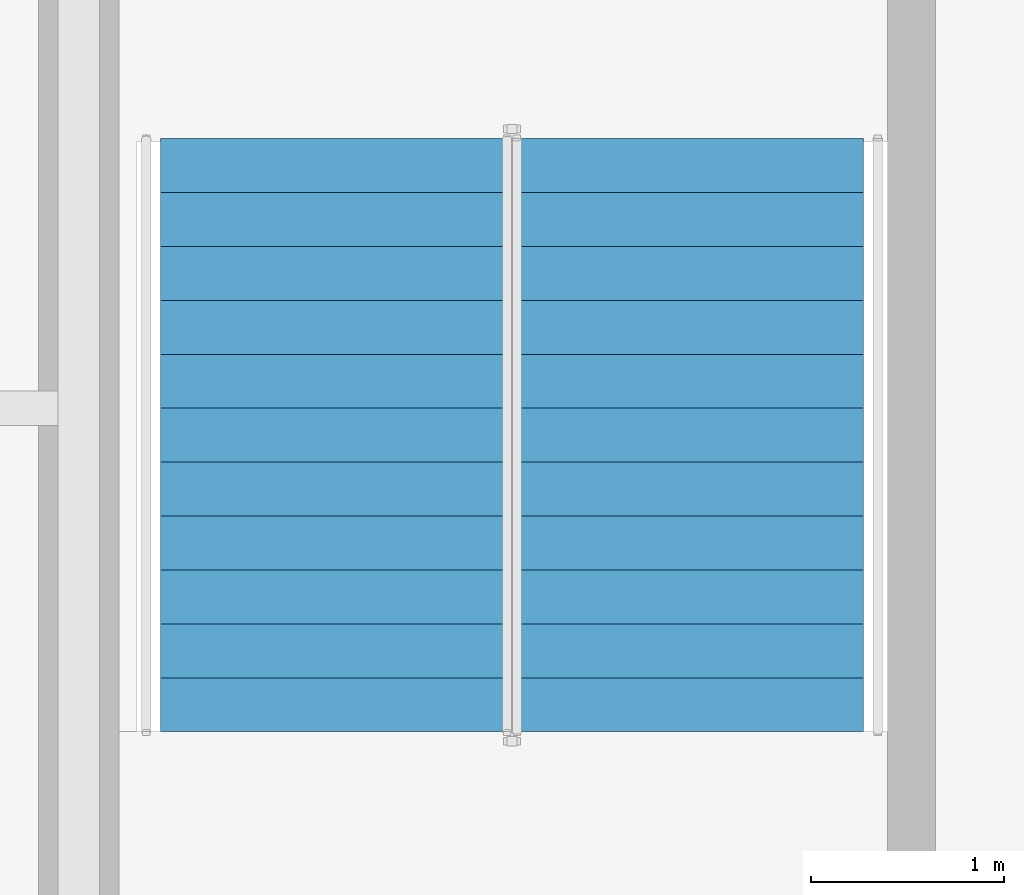
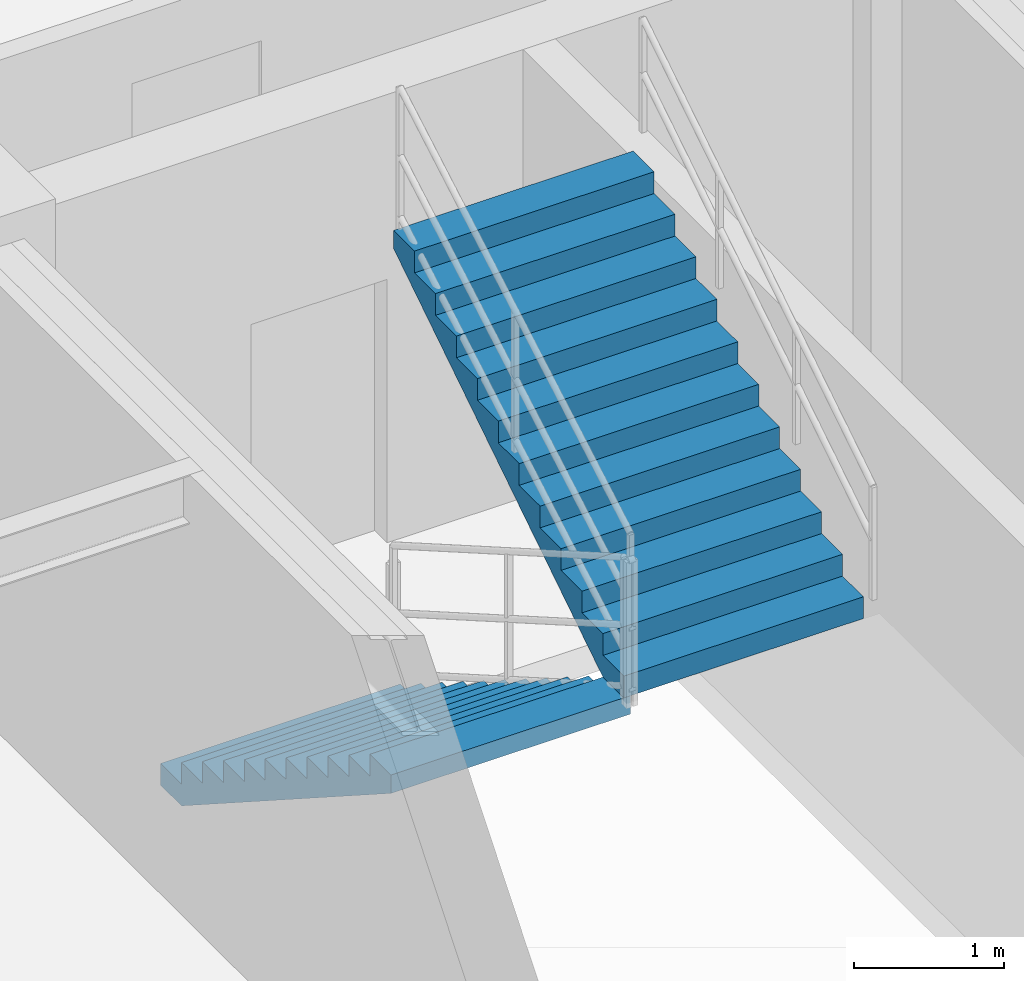
# One storey, part 7 of 10: 2 stair flights, 1 element without a shape of its own.
"""IFC4 building model written with IfcOpenShell, lengths in metres."""

from ifc_helpers import new_model, entity, si_unit, converted_unit, direction, frame, origin_with_axes, place, context, subcontext, project, spatial, polyline, outline, extrude, material, type_object, element, aggregate, save


model = new_model("IFC4")

# Units and contexts
model_context = context("Model", 3, precision=1e-05, world=origin_with_axes(), true_north=direction((0.0, 1.0)))
body_context = subcontext(model_context, "Body", "Model", "MODEL_VIEW")
ifc_project = project(units=[si_unit("LENGTHUNIT", "METRE"), si_unit("AREAUNIT", "SQUARE_METRE"), si_unit("VOLUMEUNIT", "CUBIC_METRE"), converted_unit("PLANEANGLEUNIT", "DEGREE", entity("IfcPlaneAngleMeasure", 0.017453292519943295), si_unit("PLANEANGLEUNIT", "RADIAN"), dimensions=[0, 0, 0, 0, 0, 0, 0]), si_unit("MASSUNIT", "GRAM", prefix="KILO"), si_unit("THERMODYNAMICTEMPERATUREUNIT", "KELVIN")], contexts=[model_context])

# Site, building, storey
site_placement = place(None, origin_with_axes())
site = spatial("IfcSite", under=ifc_project, at=site_placement, CompositionType="ELEMENT")
building_placement = place(site_placement, origin_with_axes())
building = spatial("IfcBuilding", under=site, at=building_placement, Name="Varnlund Millrace Tower", CompositionType="ELEMENT")
storey_placement = place(building_placement, frame((0.0, 0.0, 228.6), z_axis=(0.0, 0.0, 1.0), x_axis=(1.0, 0.0, 0.0)))
storey = spatial("IfcBuildingStorey", under=building, at=storey_placement, Name="L56", CompositionType="ELEMENT", Elevation=228.6)

# Stair, stair flights
ifc_material_1 = material(Name="Concrete C50/60", Category="concrete")
stair_type = type_object("IfcStairType", Name="Type-Stair-Dogleg-185-390", PredefinedType="HALF_TURN_STAIR", material=ifc_material_1)
stair_placement = place(storey_placement, origin_with_axes())
stair = element("IfcStair", 1, at=stair_placement, inside=storey, type_object=stair_type, Name="Type-Stair-Dogleg-185-390", PredefinedType="HALF_TURN_STAIR")
ifc_material_2 = material(Name="Precast concrete C50/60", Category="concrete")
stair_flight_type = type_object("IfcStairFlightType", Name="Type-Dogleg-Run-185-390", PredefinedType="STRAIGHT", material=ifc_material_2)
stair_flight_1_placement = place(storey_placement, frame((13.675, 35.9, 0.0), z_axis=(-1.0, 0.0, 0.0), x_axis=(0.0, -1.0, 0.0)))
stair_flight_1 = element("IfcStairFlight", 2, at=stair_flight_1_placement, type_object=stair_flight_type, Name="ST-A2 flight 1", NumberOfRisers=11, NumberOfTreads=11, PredefinedType="STRAIGHT", RiserHeight=0.177273, TreadLength=0.28, context=body_context, shape_type="SweptSolid", body=[
    extrude(outline(polyline([(0.0, 0.0), (0.0, 0.177273), (0.28, 0.177273), (0.28, 0.354545), (0.56, 0.354545), (0.56, 0.531818), (0.84, 0.531818), (0.84, 0.709091), (1.12, 0.709091), (1.12, 0.886364), (1.4, 0.886364), (1.4, 1.063636), (1.68, 1.063636), (1.68, 1.240909), (1.96, 1.240909), (1.96, 1.418182), (2.24, 1.418182), (2.24, 1.595454), (2.52, 1.595454), (2.52, 1.772727), (2.8, 1.772727), (2.8, 1.95), (3.08, 1.95), (3.08, 1.8), (0.28, 0.0), (0.0, 0.0)])), origin_with_axes(), (0.0, 0.0, 1.0), 1.85),
])
stair_flight_2_placement = place(storey_placement, frame((13.625, 32.82, 1.95), z_axis=(1.0, 0.0, 0.0), x_axis=(0.0, 1.0, 0.0)))
stair_flight_2 = element("IfcStairFlight", 3, at=stair_flight_2_placement, type_object=stair_flight_type, Name="ST-A2 flight 2", NumberOfRisers=11, NumberOfTreads=11, PredefinedType="STRAIGHT", RiserHeight=0.177273, TreadLength=0.28, context=body_context, shape_type="SweptSolid", body=[
    extrude(outline(polyline([(0.0, 0.0), (0.0, 0.177273), (0.28, 0.177273), (0.28, 0.354545), (0.56, 0.354545), (0.56, 0.531818), (0.84, 0.531818), (0.84, 0.709091), (1.12, 0.709091), (1.12, 0.886364), (1.4, 0.886364), (1.4, 1.063636), (1.68, 1.063636), (1.68, 1.240909), (1.96, 1.240909), (1.96, 1.418182), (2.24, 1.418182), (2.24, 1.595454), (2.52, 1.595454), (2.52, 1.772727), (2.8, 1.772727), (2.8, 1.95), (3.08, 1.95), (3.08, 1.8), (0.28, 0.0), (0.0, 0.0)])), origin_with_axes(), (0.0, 0.0, 1.0), 1.85),
])
aggregate(stair, [stair_flight_1, stair_flight_2])

save(model, "model.ifc")
